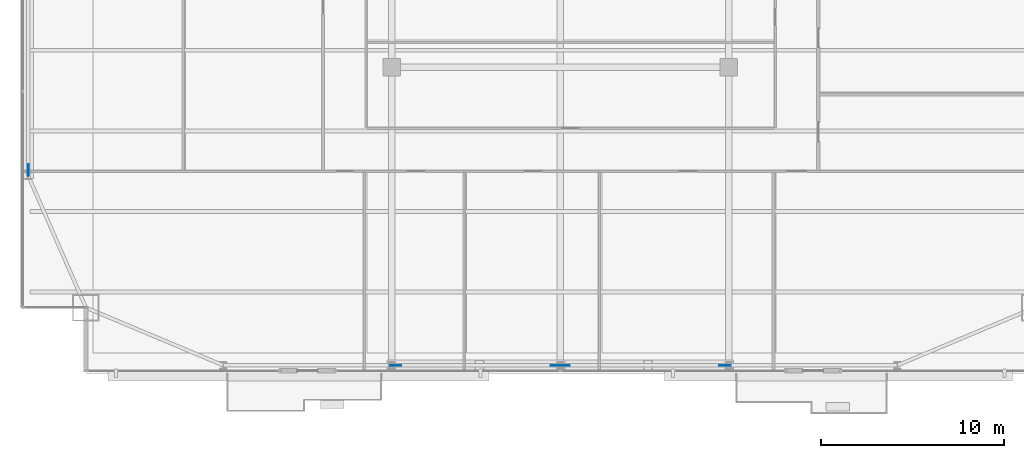
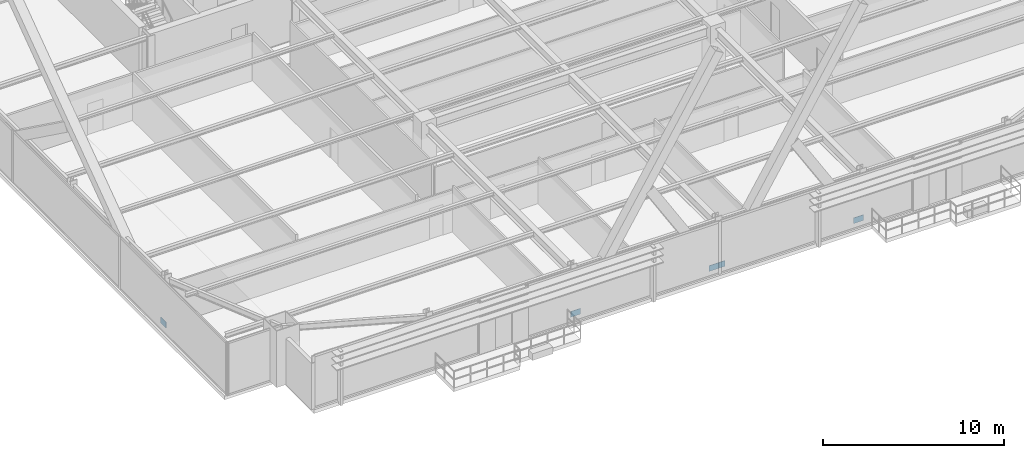
# One storey, part 29 of 37: 5 plates.
"""IFC4 building model written with IfcOpenShell, lengths in metres."""

from ifc_helpers import new_model, si_unit, direction, frame, origin, origin_2d, place, context, subcontext, project, spatial, rectangle, extrude, source, transform, mapped, material, layer, layer_set, type_object, type_shapes, element, save


model = new_model("IFC4")

# Units and contexts
model_context = context("Model", 3, precision=1e-05, world=origin(), true_north=direction((0.0, 1.0)))
body_context = subcontext(model_context, "Body", "Model", "MODEL_VIEW")
ifc_project = project(units=[si_unit("LENGTHUNIT", "METRE"), si_unit("AREAUNIT", "SQUARE_METRE"), si_unit("VOLUMEUNIT", "CUBIC_METRE"), si_unit("PLANEANGLEUNIT", "RADIAN"), si_unit("MASSUNIT", "GRAM", prefix="KILO")], contexts=[model_context])

# Site, building, storey
site_placement = place(None, origin())
site = spatial("IfcSite", under=ifc_project, at=site_placement, CompositionType="ELEMENT")
building_placement = place(site_placement, origin())
building = spatial("IfcBuilding", under=site, at=building_placement, Name="Varnel Quay Broadcast Tower", CompositionType="ELEMENT")
storey_placement = place(building_placement, frame((0.0, 0.0, 103.0)))
storey = spatial("IfcBuildingStorey", under=building, at=storey_placement, Name="L24", CompositionType="ELEMENT", Elevation=103.0)

# Plates
ifc_material = material(Name="Structural Steel CSA G40.21 350WT", Category="steel")
ifc_layer = layer(ifc_material, 0.031982421875, Name="Structural Steel CSA G40.21 350WT")
ifc_layer_set = layer_set([ifc_layer], Name="Structural Steel CSA G40.21 350WT")
plate_type = type_object("IfcPlateType", Name="Plate_EndCap", PredefinedType="USERDEFINED", material=ifc_layer_set)
shared_shape = source(origin(), body_context, "Body", "SweptSolid", [
    extrude(rectangle(XDim=0.6201171875, YDim=0.031982421875, at=origin_2d()), origin(), (0.0, 0.0, 1.0), 0.3798828125),
])
type_shapes(plate_type, [shared_shape])
for number, where, z_axis, x_axis, name in (
    (1, (24.99951171875, 4.64990234375, 0.153564453125), (0.0, 0.0, 1.0), (1.0, 0.0, 0.0), "Zone 2 Mega-Brace S-C1T2 Diag A End Connection Plate P0"),
    (2, (33.800537109375, 4.64990234375, 0.153564453125), (0.0, 0.0, 1.0), (1.0, 0.0, 0.0), "Zone 2 Mega-Brace S-C1T2 Diag B1 End Connection Plate P0"),
    (3, (34.199462890625, 4.64990234375, 0.153564453125), (0.0, 0.0, 1.0), (1.0, 0.0, 0.0), "Zone 2 Mega-Brace S-C2T2 Diag A End Connection Plate P0"),
    (4, (43.00048828125, 4.64990234375, 0.153564453125), (0.0, 0.0, 1.0), (1.0, 0.0, 0.0), "Zone 2 Mega-Brace S-C2T2 Diag B1 End Connection Plate P0"),
    (5, (4.949951171875, 15.307861328125, 0.052978515625), (0.0, 0.0, 1.0), (0.0, 1.0, 0.0), "Zone 2 Mega-Brace W-FT2 Diag A End Connection Plate P0"),
):
    element("IfcPlate", number, at=place(storey_placement, frame(where, z_axis=z_axis, x_axis=x_axis)), inside=storey, type_object=plate_type, Name=name, ObjectType="CAP_PLATE", PredefinedType="USERDEFINED", context=body_context, shape_type="MappedRepresentation", body=[
        mapped(shared_shape, transform((0.0, 0.0, 0.0), x_axis=(1.0, 0.0, 0.0), y_axis=(0.0, 1.0, 0.0), z_axis=(0.0, 0.0, 1.0), scale=1.0)),
    ])

save(model, "model.ifc")
